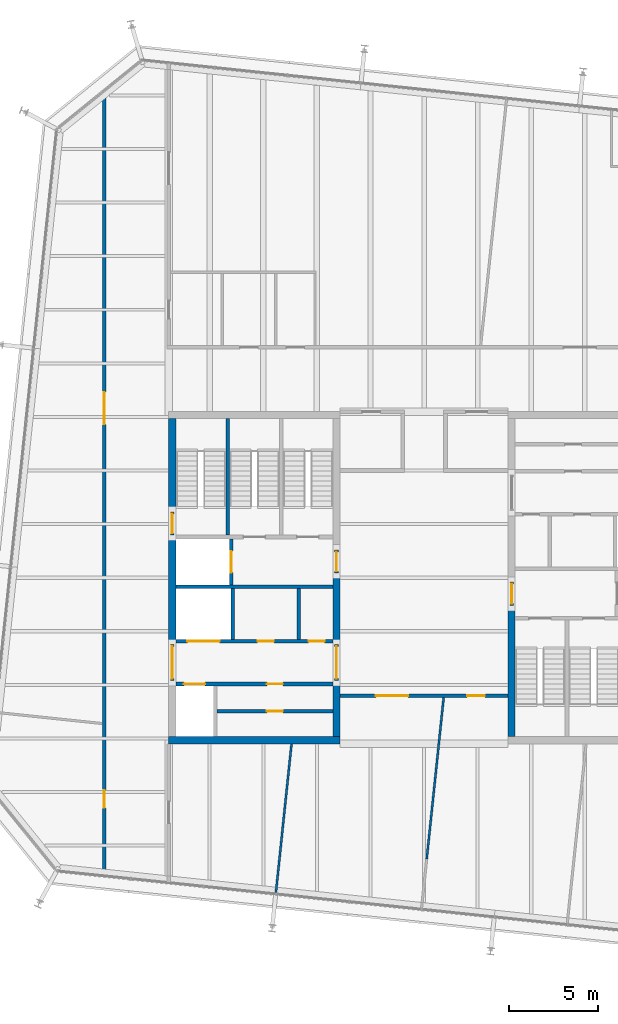
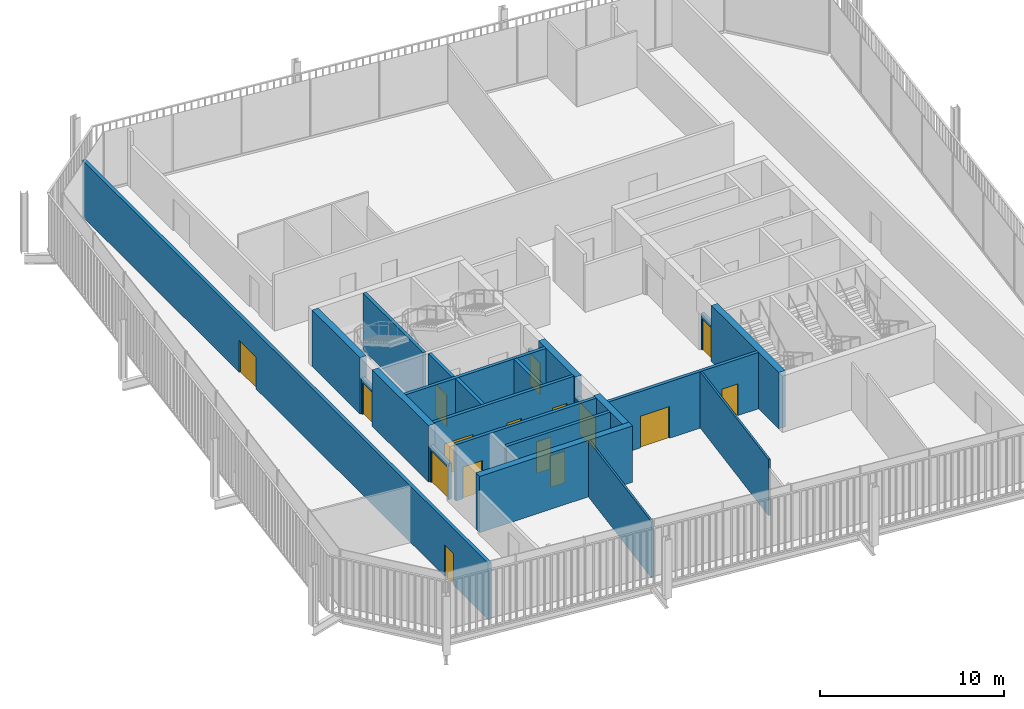
# One storey, part 16 of 20: 23 walls, 16 doors, 16 openings.
"""IFC4 building model written with IfcOpenShell, lengths in metres."""

from ifc_helpers import new_model, si_unit, direction, frame, frame_2d, origin, place, context, subcontext, project, spatial, rectangle, extrude, material, layer, layer_set, type_object, element, fill, save


model = new_model("IFC4")

# Units and contexts
model_context = context("Model", 3, precision=1e-05, world=origin(), true_north=direction((0.0, 1.0)))
body_context = subcontext(model_context, "Body", "Model", "MODEL_VIEW")
ifc_project = project(units=[si_unit("LENGTHUNIT", "METRE"), si_unit("AREAUNIT", "SQUARE_METRE"), si_unit("VOLUMEUNIT", "CUBIC_METRE"), si_unit("PLANEANGLEUNIT", "RADIAN"), si_unit("MASSUNIT", "GRAM", prefix="KILO")], contexts=[model_context])

# Site, building, storey
site_placement = place(None, origin())
site = spatial("IfcSite", under=ifc_project, at=site_placement, CompositionType="ELEMENT")
building_placement = place(site_placement, origin())
building = spatial("IfcBuilding", under=site, at=building_placement, Name="Millrace Tower", CompositionType="ELEMENT")
storey_placement = place(building_placement, frame((0.0, 0.0, 295.5)))
storey = spatial("IfcBuildingStorey", under=building, at=storey_placement, Name="L68", CompositionType="ELEMENT", Elevation=295.5)

# Walls
ifc_material_1 = material(Name="Concrete C60", Category="concrete")
ifc_layer_1 = layer(ifc_material_1, 0.39990234375)
ifc_layer_set_1 = layer_set([ifc_layer_1], Name="Concrete C60")
wall_type_1 = type_object("IfcWallType", Name="Core wall 400 Concrete C60", PredefinedType="SHEAR", material=ifc_layer_set_1)
wall_1_placement = place(storey_placement, frame((-14.300048828125, -9.10009765625, 0.0), z_axis=(0.0, 0.0, 1.0), x_axis=(1.0, 0.0, 0.0)))
element("IfcWall", 1, at=wall_1_placement, inside=storey, type_object=wall_type_1, Name="Core wall W L68", PredefinedType="SHEAR", context=body_context, shape_type="SweptSolid", body=[
    extrude(rectangle(XDim=9.60009765625, YDim=0.39990234375, at=frame_2d((4.800048828125, 0.0))), origin(), (0.0, 0.0, 1.0), 3.739990234375),
])
wall_2_placement = place(storey_placement, frame((-14.10009765625, -3.75, 0.0), z_axis=(0.0, 0.0, 1.0), x_axis=(0.0, 1.0, 0.0)))
element("IfcWall", 2, at=wall_2_placement, inside=storey, type_object=wall_type_1, Name="Core wall W L68", PredefinedType="SHEAR", context=body_context, shape_type="SweptSolid", body=[
    extrude(rectangle(XDim=6.1298828125, YDim=0.39990234375, at=frame_2d((3.06494140625, 0.0))), origin(), (0.0, 0.0, 1.0), 3.739990234375),
])
wall_3_placement = place(storey_placement, frame((-14.10009765625, 3.679931640625, 0.0), z_axis=(0.0, 0.0, 1.0), x_axis=(0.0, 1.0, 0.0)))
element("IfcWall", 3, at=wall_3_placement, inside=storey, type_object=wall_type_1, Name="Core wall W L68", PredefinedType="SHEAR", context=body_context, shape_type="SweptSolid", body=[
    extrude(rectangle(XDim=5.219970703125, YDim=0.39990234375, at=frame_2d((2.60986328125, 0.0))), origin(), (0.0, 0.0, 1.0), 3.739990234375),
])
wall_4_placement = place(storey_placement, frame((-4.89990234375, -8.89990234375, 0.0), z_axis=(0.0, 0.0, 1.0), x_axis=(0.0, 1.0, 0.0)))
element("IfcWall", 4, at=wall_4_placement, inside=storey, type_object=wall_type_1, Name="Core wall W L68", PredefinedType="SHEAR", context=body_context, shape_type="SweptSolid", body=[
    extrude(rectangle(XDim=3.14990234375, YDim=0.39990234375, at=frame_2d((1.574951171875, 0.0))), origin(), (0.0, 0.0, 1.0), 3.739990234375),
])
wall_5_placement = place(storey_placement, frame((-4.89990234375, -3.75, 0.0), z_axis=(0.0, 0.0, 1.0), x_axis=(0.0, 1.0, 0.0)))
element("IfcWall", 5, at=wall_5_placement, inside=storey, type_object=wall_type_1, Name="Core wall W L68", PredefinedType="SHEAR", context=body_context, shape_type="SweptSolid", body=[
    extrude(rectangle(XDim=4.0, YDim=0.39990234375, at=frame_2d((2.0, 0.0))), origin(), (0.0, 0.0, 1.0), 3.739990234375),
])
wall_6_placement = place(storey_placement, frame((4.89990234375, -1.550048828125, 0.0), z_axis=(0.0, 0.0, 1.0), x_axis=(0.0, -1.0, 0.0)))
element("IfcWall", 6, at=wall_6_placement, inside=storey, type_object=wall_type_1, Name="Core wall E L68", PredefinedType="SHEAR", context=body_context, shape_type="SweptSolid", body=[
    extrude(rectangle(XDim=7.349853515625, YDim=0.39990234375, at=frame_2d((3.6748046875, 0.0))), origin(), (0.0, 0.0, 1.0), 3.739990234375),
])

# Wall, openings, doors
ifc_material_2 = material(Name="Masonry partition, fire-rated", Category="masonry")
ifc_layer_2 = layer(ifc_material_2, 0.199951171875)
ifc_layer_set_2 = layer_set([ifc_layer_2], Name="Masonry partition, fire-rated")
wall_type_2 = type_object("IfcWallType", Name="Corridor wall 200", PredefinedType="PARTITIONING", material=ifc_layer_set_2)
wall_7_placement = place(storey_placement, frame((-4.699951171875, -6.60009765625, 0.0), z_axis=(0.0, 0.0, 1.0), x_axis=(1.0, 0.0, 0.0)))
wall_7 = element("IfcWall", 7, at=wall_7_placement, inside=storey, type_object=wall_type_2, Name="Corridor wall L68", PredefinedType="PARTITIONING", context=body_context, shape_type="SweptSolid", body=[
    extrude(rectangle(XDim=9.39990234375, YDim=0.199951171875, at=frame_2d((4.699951171875, 0.0))), origin(), (0.0, 0.0, 1.0), 3.739990234375),
])
opening_1_placement = place(wall_7_placement, frame((2.0048828125, 0.0, 0.0)))
opening_1 = element("IfcOpeningElement", 8, at=opening_1_placement, cuts=wall_7, Name="Opening 68-P010", PredefinedType="OPENING", context=body_context, shape_type="SweptSolid", body=[
    extrude(rectangle(XDim=1.800048828125, YDim=2.10009765625, at=frame_2d((0.89990234375, 1.050048828125))), frame((0.0, 0.10986328125, 0.0), z_axis=(0.0, -1.0, 0.0), x_axis=(1.0, 0.0, 0.0)), (0.0, 0.0, 1.0), 0.219970703125),
])
opening_2_placement = place(wall_7_placement, frame((7.10498046875, 0.0, 0.0)))
opening_2 = element("IfcOpeningElement", 9, at=opening_2_placement, cuts=wall_7, Name="Opening 68-P011", PredefinedType="OPENING", context=body_context, shape_type="SweptSolid", body=[
    extrude(rectangle(XDim=1.0, YDim=2.10009765625, at=frame_2d((0.5, 1.050048828125))), frame((0.0, 0.10986328125, 0.0), z_axis=(0.0, -1.0, 0.0), x_axis=(1.0, 0.0, 0.0)), (0.0, 0.0, 1.0), 0.219970703125),
])
ifc_material_3 = material(Name="Steel door set, fire-rated", Category="steel")
door_type_1 = type_object("IfcDoorType", Name="Corridor door 1000 x 2100", OperationType="SINGLE_SWING_LEFT", PredefinedType="DOOR", material=ifc_material_3)
door_1_placement = place(opening_2_placement, frame((1.0, 0.0, 0.0), z_axis=(0.0, 0.0, 1.0), x_axis=(-1.0, 0.0, 0.0)))
door_1 = element("IfcDoor", 10, at=door_1_placement, inside=storey, type_object=door_type_1, Name="Door 68-P011", OperationType="SINGLE_SWING_LEFT", OverallHeight=2.10009765625, OverallWidth=1.0, PredefinedType="DOOR", context=body_context, shape_type="SweptSolid", body=[
    extrude(rectangle(XDim=1.0, YDim=2.10009765625, at=frame_2d((0.5, 1.050048828125))), frame((0.0, 0.02490234375, 0.0), z_axis=(0.0, -1.0, 0.0), x_axis=(1.0, 0.0, 0.0)), (0.0, 0.0, 1.0), 0.050048828125),
])
fill(opening_2, door_1)
ifc_material_4 = material(Name="Steel door set, fire-rated", Category="steel")
door_type_2 = type_object("IfcDoorType", Name="Corridor door 1800 x 2100", OperationType="DOUBLE_DOOR_SINGLE_SWING", PredefinedType="DOOR", material=ifc_material_4)
door_2_placement = place(opening_1_placement, frame((1.800048828125, 0.0, 0.0), z_axis=(0.0, 0.0, 1.0), x_axis=(-1.0, 0.0, 0.0)))
door_2 = element("IfcDoor", 11, at=door_2_placement, inside=storey, type_object=door_type_2, Name="Door 68-P010", OperationType="DOUBLE_DOOR_SINGLE_SWING", OverallHeight=2.10009765625, OverallWidth=1.800048828125, PredefinedType="DOOR", context=body_context, shape_type="SweptSolid", body=[
    extrude(rectangle(XDim=1.800048828125, YDim=2.10009765625, at=frame_2d((0.89990234375, 1.050048828125))), frame((0.0, 0.02490234375, 0.0), z_axis=(0.0, -1.0, 0.0), x_axis=(1.0, 0.0, 0.0)), (0.0, 0.0, 1.0), 0.050048828125),
])
fill(opening_1, door_2)

wall_8_placement = place(storey_placement, frame((-17.89990234375, -16.653076171875, 0.0), z_axis=(0.0, 0.0, 1.0), x_axis=(0.0, 1.0, 0.0)))
wall_8 = element("IfcWall", 12, at=wall_8_placement, inside=storey, type_object=wall_type_2, Name="Corridor wall L68", PredefinedType="PARTITIONING", context=body_context, shape_type="SweptSolid", body=[
    extrude(rectangle(XDim=44.071533203125, YDim=0.199951171875, at=frame_2d((22.03564453125, 0.0))), origin(), (0.0, 0.0, 1.0), 3.739990234375),
])
opening_3_placement = place(wall_8_placement, frame((3.76318359375, 0.0, 0.0)))
opening_3 = element("IfcOpeningElement", 13, at=opening_3_placement, cuts=wall_8, Name="Opening 68-P003", PredefinedType="OPENING", context=body_context, shape_type="SweptSolid", body=[
    extrude(rectangle(XDim=1.0, YDim=2.10009765625, at=frame_2d((0.5, 1.050048828125))), frame((0.0, 0.10986328125, 0.0), z_axis=(0.0, -1.0, 0.0), x_axis=(1.0, 0.0, 0.0)), (0.0, 0.0, 1.0), 0.219970703125),
])
opening_4_placement = place(wall_8_placement, frame((25.24169921875, 0.0, 0.0)))
opening_4 = element("IfcOpeningElement", 14, at=opening_4_placement, cuts=wall_8, Name="Opening 68-P004", PredefinedType="OPENING", context=body_context, shape_type="SweptSolid", body=[
    extrude(rectangle(XDim=1.800048828125, YDim=2.10009765625, at=frame_2d((0.89990234375, 1.050048828125))), frame((0.0, 0.10986328125, 0.0), z_axis=(0.0, -1.0, 0.0), x_axis=(1.0, 0.0, 0.0)), (0.0, 0.0, 1.0), 0.219970703125),
])
door_3_placement = place(opening_3_placement, origin())
door_3 = element("IfcDoor", 15, at=door_3_placement, inside=storey, type_object=door_type_1, Name="Door 68-P003", OperationType="SINGLE_SWING_LEFT", OverallHeight=2.10009765625, OverallWidth=1.0, PredefinedType="DOOR", context=body_context, shape_type="SweptSolid", body=[
    extrude(rectangle(XDim=1.0, YDim=2.10009765625, at=frame_2d((0.5, 1.050048828125))), frame((0.0, 0.02490234375, 0.0), z_axis=(0.0, -1.0, 0.0), x_axis=(1.0, 0.0, 0.0)), (0.0, 0.0, 1.0), 0.050048828125),
])
fill(opening_3, door_3)
door_4_placement = place(opening_4_placement, origin())
door_4 = element("IfcDoor", 16, at=door_4_placement, inside=storey, type_object=door_type_2, Name="Door 68-P004", OperationType="DOUBLE_DOOR_SINGLE_SWING", OverallHeight=2.10009765625, OverallWidth=1.800048828125, PredefinedType="DOOR", context=body_context, shape_type="SweptSolid", body=[
    extrude(rectangle(XDim=1.800048828125, YDim=2.10009765625, at=frame_2d((0.89990234375, 1.050048828125))), frame((0.0, 0.02490234375, 0.0), z_axis=(0.0, -1.0, 0.0), x_axis=(1.0, 0.0, 0.0)), (0.0, 0.0, 1.0), 0.050048828125),
])
fill(opening_4, door_4)

ifc_material_5 = material(Name="Masonry partition, fire-rated", Category="masonry")
ifc_layer_3 = layer(ifc_material_5, 0.199951171875)
ifc_layer_set_3 = layer_set([ifc_layer_3], Name="Masonry partition, fire-rated")
wall_type_3 = type_object("IfcWallType", Name="Lift shaft wall 200", PredefinedType="PARTITIONING", material=ifc_layer_set_3)
wall_9_placement = place(storey_placement, frame((-13.89990234375, -5.949951171875, 0.0), z_axis=(0.0, 0.0, 1.0), x_axis=(1.0, 0.0, 0.0)))
wall_9 = element("IfcWall", 17, at=wall_9_placement, inside=storey, type_object=wall_type_3, Name="Lift shaft wall W L68", PredefinedType="PARTITIONING", context=body_context, shape_type="SweptSolid", body=[
    extrude(rectangle(XDim=8.7998046875, YDim=0.199951171875, at=frame_2d((4.39990234375, 0.0))), origin(), (0.0, 0.0, 1.0), 3.739990234375),
])
opening_5_placement = place(wall_9_placement, frame((0.449951171875, 0.0, 0.0)))
opening_5 = element("IfcOpeningElement", 18, at=opening_5_placement, cuts=wall_9, Name="Opening 68-LD01", PredefinedType="OPENING", context=body_context, shape_type="SweptSolid", body=[
    extrude(rectangle(XDim=1.199951171875, YDim=2.10009765625, at=frame_2d((0.60009765625, 1.050048828125))), frame((0.0, 0.10986328125, 0.0), z_axis=(0.0, -1.0, 0.0), x_axis=(1.0, 0.0, 0.0)), (0.0, 0.0, 1.0), 0.219970703125),
])
opening_6_placement = place(wall_9_placement, frame((5.10009765625, 0.0, 0.0)))
opening_6 = element("IfcOpeningElement", 19, at=opening_6_placement, cuts=wall_9, Name="Opening 68-C005", PredefinedType="OPENING", context=body_context, shape_type="SweptSolid", body=[
    extrude(rectangle(XDim=0.89990234375, YDim=2.10009765625, at=frame_2d((0.449951171875, 1.050048828125))), frame((0.0, 0.10986328125, 0.0), z_axis=(0.0, -1.0, 0.0), x_axis=(1.0, 0.0, 0.0)), (0.0, 0.0, 1.0), 0.219970703125),
])
ifc_material_6 = material(Name="Stainless steel, fire-rated", Category="steel")
door_type_3 = type_object("IfcDoorType", Name="Lift landing door 1200 x 2100", OperationType="DOUBLE_DOOR_SLIDING", PredefinedType="DOOR", material=ifc_material_6)
door_5_placement = place(opening_5_placement, origin())
door_5 = element("IfcDoor", 20, at=door_5_placement, inside=storey, type_object=door_type_3, Name="Lift landing door LF1 L68", OperationType="DOUBLE_DOOR_SLIDING", OverallHeight=2.10009765625, OverallWidth=1.199951171875, PredefinedType="DOOR", context=body_context, shape_type="SweptSolid", body=[
    extrude(rectangle(XDim=1.199951171875, YDim=2.10009765625, at=frame_2d((0.60009765625, 1.050048828125))), frame((0.0, 0.02490234375, 0.0), z_axis=(0.0, -1.0, 0.0), x_axis=(1.0, 0.0, 0.0)), (0.0, 0.0, 1.0), 0.050048828125),
])
fill(opening_5, door_5)
ifc_material_7 = material(Name="Steel door, fire-rated", Category="steel")
door_type_4 = type_object("IfcDoorType", Name="Service room door 900 x 2100", OperationType="SINGLE_SWING_LEFT", PredefinedType="DOOR", material=ifc_material_7)
door_6_placement = place(opening_6_placement, origin())
door_6 = element("IfcDoor", 21, at=door_6_placement, inside=storey, type_object=door_type_4, Name="Service room door 68-C005", OperationType="SINGLE_SWING_RIGHT", OverallHeight=2.10009765625, OverallWidth=0.89990234375, PredefinedType="DOOR", context=body_context, shape_type="SweptSolid", body=[
    extrude(rectangle(XDim=0.89990234375, YDim=2.10009765625, at=frame_2d((0.449951171875, 1.050048828125))), frame((0.0, 0.02490234375, 0.0), z_axis=(0.0, -1.0, 0.0), x_axis=(1.0, 0.0, 0.0)), (0.0, 0.0, 1.0), 0.050048828125),
])
fill(opening_6, door_6)

wall_10_placement = place(storey_placement, frame((-13.89990234375, -3.550048828125, 0.0), z_axis=(0.0, 0.0, 1.0), x_axis=(1.0, 0.0, 0.0)))
wall_10 = element("IfcWall", 22, at=wall_10_placement, inside=storey, type_object=wall_type_3, Name="Lift shaft wall W L68", PredefinedType="PARTITIONING", context=body_context, shape_type="SweptSolid", body=[
    extrude(rectangle(XDim=8.7998046875, YDim=0.199951171875, at=frame_2d((4.39990234375, 0.0))), origin(), (0.0, 0.0, 1.0), 3.739990234375),
])
opening_7_placement = place(wall_10_placement, frame((0.64990234375, 0.0, 0.0)))
opening_7 = element("IfcOpeningElement", 23, at=opening_7_placement, cuts=wall_10, Name="Opening 68-LD05", PredefinedType="OPENING", context=body_context, shape_type="SweptSolid", body=[
    extrude(rectangle(XDim=1.800048828125, YDim=2.10009765625, at=frame_2d((0.89990234375, 1.050048828125))), frame((0.0, 0.10986328125, 0.0), z_axis=(0.0, -1.0, 0.0), x_axis=(1.0, 0.0, 0.0)), (0.0, 0.0, 1.0), 0.219970703125),
])
opening_8_placement = place(wall_10_placement, frame((4.58740234375, 0.0, 0.0)))
opening_8 = element("IfcOpeningElement", 24, at=opening_8_placement, cuts=wall_10, Name="Opening 68-C007", PredefinedType="OPENING", context=body_context, shape_type="SweptSolid", body=[
    extrude(rectangle(XDim=0.89990234375, YDim=2.10009765625, at=frame_2d((0.449951171875, 1.050048828125))), frame((0.0, 0.10986328125, 0.0), z_axis=(0.0, -1.0, 0.0), x_axis=(1.0, 0.0, 0.0)), (0.0, 0.0, 1.0), 0.219970703125),
])
opening_9_placement = place(wall_10_placement, frame((7.4375, 0.0, 0.0)))
opening_9 = element("IfcOpeningElement", 25, at=opening_9_placement, cuts=wall_10, Name="Opening 68-C008", PredefinedType="OPENING", context=body_context, shape_type="SweptSolid", body=[
    extrude(rectangle(XDim=0.89990234375, YDim=2.10009765625, at=frame_2d((0.449951171875, 1.050048828125))), frame((0.0, 0.10986328125, 0.0), z_axis=(0.0, -1.0, 0.0), x_axis=(1.0, 0.0, 0.0)), (0.0, 0.0, 1.0), 0.219970703125),
])
ifc_material_8 = material(Name="Stainless steel, fire-rated", Category="steel")
door_type_5 = type_object("IfcDoorType", Name="Lift landing door 1800 x 2100", OperationType="DOUBLE_DOOR_SLIDING", PredefinedType="DOOR", material=ifc_material_8)
door_7_placement = place(opening_7_placement, origin())
door_7 = element("IfcDoor", 26, at=door_7_placement, inside=storey, type_object=door_type_5, Name="Lift landing door LF5 L68", OperationType="DOUBLE_DOOR_SLIDING", OverallHeight=2.10009765625, OverallWidth=1.800048828125, PredefinedType="DOOR", context=body_context, shape_type="SweptSolid", body=[
    extrude(rectangle(XDim=1.800048828125, YDim=2.10009765625, at=frame_2d((0.89990234375, 1.050048828125))), frame((0.0, 0.02490234375, 0.0), z_axis=(0.0, -1.0, 0.0), x_axis=(1.0, 0.0, 0.0)), (0.0, 0.0, 1.0), 0.050048828125),
])
fill(opening_7, door_7)
door_8_placement = place(opening_8_placement, origin())
door_8 = element("IfcDoor", 27, at=door_8_placement, inside=storey, type_object=door_type_4, Name="Service room door 68-C007", OperationType="SINGLE_SWING_RIGHT", OverallHeight=2.10009765625, OverallWidth=0.89990234375, PredefinedType="DOOR", context=body_context, shape_type="SweptSolid", body=[
    extrude(rectangle(XDim=0.89990234375, YDim=2.10009765625, at=frame_2d((0.449951171875, 1.050048828125))), frame((0.0, 0.02490234375, 0.0), z_axis=(0.0, -1.0, 0.0), x_axis=(1.0, 0.0, 0.0)), (0.0, 0.0, 1.0), 0.050048828125),
])
fill(opening_8, door_8)
door_9_placement = place(opening_9_placement, origin())
door_9 = element("IfcDoor", 28, at=door_9_placement, inside=storey, type_object=door_type_4, Name="Service room door 68-C008", OperationType="SINGLE_SWING_RIGHT", OverallHeight=2.10009765625, OverallWidth=0.89990234375, PredefinedType="DOOR", context=body_context, shape_type="SweptSolid", body=[
    extrude(rectangle(XDim=0.89990234375, YDim=2.10009765625, at=frame_2d((0.449951171875, 1.050048828125))), frame((0.0, 0.02490234375, 0.0), z_axis=(0.0, -1.0, 0.0), x_axis=(1.0, 0.0, 0.0)), (0.0, 0.0, 1.0), 0.050048828125),
])
fill(opening_9, door_9)

# Wall
wall_11_placement = place(storey_placement, frame((-13.89990234375, -0.5, 0.0), z_axis=(0.0, 0.0, 1.0), x_axis=(1.0, 0.0, 0.0)))
element("IfcWall", 29, at=wall_11_placement, inside=storey, type_object=wall_type_3, Name="Lift shaft wall W L68", PredefinedType="PARTITIONING", context=body_context, shape_type="SweptSolid", body=[
    extrude(rectangle(XDim=8.7998046875, YDim=0.199951171875, at=frame_2d((4.39990234375, 0.0))), origin(), (0.0, 0.0, 1.0), 3.739990234375),
])

# Wall, opening, door
wall_12_placement = place(storey_placement, frame((-10.800048828125, -0.39990234375, 0.0), z_axis=(0.0, 0.0, 1.0), x_axis=(0.0, 1.0, 0.0)))
wall_12 = element("IfcWall", 30, at=wall_12_placement, inside=storey, type_object=wall_type_3, Name="Lift shaft wall W L68", PredefinedType="PARTITIONING", context=body_context, shape_type="SweptSolid", body=[
    extrude(rectangle(XDim=2.579833984375, YDim=0.199951171875, at=frame_2d((1.2900390625, 0.0))), origin(), (0.0, 0.0, 1.0), 3.739990234375),
])
opening_10_placement = place(wall_12_placement, frame((0.68994140625, 0.0, 0.0)))
opening_10 = element("IfcOpeningElement", 31, at=opening_10_placement, cuts=wall_12, Name="Opening 68-LD08", PredefinedType="OPENING", context=body_context, shape_type="SweptSolid", body=[
    extrude(rectangle(XDim=1.199951171875, YDim=2.10009765625, at=frame_2d((0.60009765625, 1.050048828125))), frame((0.0, 0.10986328125, 0.0), z_axis=(0.0, -1.0, 0.0), x_axis=(1.0, 0.0, 0.0)), (0.0, 0.0, 1.0), 0.219970703125),
])
door_10_placement = place(opening_10_placement, origin())
door_10 = element("IfcDoor", 32, at=door_10_placement, inside=storey, type_object=door_type_3, Name="Lift landing door LF8 L68", OperationType="DOUBLE_DOOR_SLIDING", OverallHeight=2.10009765625, OverallWidth=1.199951171875, PredefinedType="DOOR", context=body_context, shape_type="SweptSolid", body=[
    extrude(rectangle(XDim=1.199951171875, YDim=2.10009765625, at=frame_2d((0.60009765625, 1.050048828125))), frame((0.0, 0.02490234375, 0.0), z_axis=(0.0, -1.0, 0.0), x_axis=(1.0, 0.0, 0.0)), (0.0, 0.0, 1.0), 0.050048828125),
])
fill(opening_10, door_10)

# Wall
wall_13_placement = place(storey_placement, frame((-10.699951171875, -3.449951171875, 0.0), z_axis=(0.0, 0.0, 1.0), x_axis=(0.0, 1.0, 0.0)))
element("IfcWall", 33, at=wall_13_placement, inside=storey, type_object=wall_type_3, Name="Lift shaft wall W L68", PredefinedType="PARTITIONING", context=body_context, shape_type="SweptSolid", body=[
    extrude(rectangle(XDim=2.849853515625, YDim=0.199951171875, at=frame_2d((1.4248046875, 0.0))), origin(), (0.0, 0.0, 1.0), 3.739990234375),
])

# Wall, opening, door
ifc_material_9 = material(Name="Masonry partition, fire-rated", Category="masonry")
ifc_layer_4 = layer(ifc_material_9, 0.199951171875)
ifc_layer_set_4 = layer_set([ifc_layer_4], Name="Masonry partition, fire-rated")
wall_type_4 = type_object("IfcWallType", Name="Lobby wall 200", PredefinedType="PARTITIONING", material=ifc_layer_set_4)
wall_14_placement = place(storey_placement, frame((-14.10009765625, -5.75, 0.0), z_axis=(0.0, 0.0, 1.0), x_axis=(0.0, 1.0, 0.0)))
wall_14 = element("IfcWall", 34, at=wall_14_placement, inside=storey, type_object=wall_type_4, Name="Lobby wall W L68", PredefinedType="PARTITIONING", context=body_context, shape_type="SweptSolid", body=[
    extrude(rectangle(XDim=2.0, YDim=0.199951171875, at=frame_2d((1.0, 0.0))), origin(), (0.0, 0.0, 1.0), 2.39990234375),
])
opening_11_placement = place(wall_14_placement, frame((0.10009765625, 0.0, 0.0)))
opening_11 = element("IfcOpeningElement", 35, at=opening_11_placement, cuts=wall_14, Name="Opening 68-C001", PredefinedType="OPENING", context=body_context, shape_type="SweptSolid", body=[
    extrude(rectangle(XDim=1.800048828125, YDim=2.10009765625, at=frame_2d((0.89990234375, 1.050048828125))), frame((0.0, 0.10986328125, 0.0), z_axis=(0.0, -1.0, 0.0), x_axis=(1.0, 0.0, 0.0)), (0.0, 0.0, 1.0), 0.219970703125),
])
ifc_material_10 = material(Name="Steel door, fire-rated", Category="steel")
door_type_6 = type_object("IfcDoorType", Name="Lobby door 1800 x 2100", OperationType="DOUBLE_DOOR_SINGLE_SWING", PredefinedType="DOOR", material=ifc_material_10)
door_11_placement = place(opening_11_placement, origin())
door_11 = element("IfcDoor", 36, at=door_11_placement, inside=storey, type_object=door_type_6, Name="Lobby door 68-C001", OperationType="DOUBLE_DOOR_SINGLE_SWING", OverallHeight=2.10009765625, OverallWidth=1.800048828125, PredefinedType="DOOR", context=body_context, shape_type="SweptSolid", body=[
    extrude(rectangle(XDim=1.800048828125, YDim=2.10009765625, at=frame_2d((0.89990234375, 1.050048828125))), frame((0.0, 0.02490234375, 0.0), z_axis=(0.0, -1.0, 0.0), x_axis=(1.0, 0.0, 0.0)), (0.0, 0.0, 1.0), 0.050048828125),
])
fill(opening_11, door_11)

wall_15_placement = place(storey_placement, frame((-4.89990234375, -5.75, 0.0), z_axis=(0.0, 0.0, 1.0), x_axis=(0.0, 1.0, 0.0)))
wall_15 = element("IfcWall", 37, at=wall_15_placement, inside=storey, type_object=wall_type_4, Name="Lobby wall W L68", PredefinedType="PARTITIONING", context=body_context, shape_type="SweptSolid", body=[
    extrude(rectangle(XDim=2.0, YDim=0.199951171875, at=frame_2d((1.0, 0.0))), origin(), (0.0, 0.0, 1.0), 2.39990234375),
])
opening_12_placement = place(wall_15_placement, frame((0.10009765625, 0.0, 0.0)))
opening_12 = element("IfcOpeningElement", 38, at=opening_12_placement, cuts=wall_15, Name="Opening 68-C003", PredefinedType="OPENING", context=body_context, shape_type="SweptSolid", body=[
    extrude(rectangle(XDim=1.800048828125, YDim=2.10009765625, at=frame_2d((0.89990234375, 1.050048828125))), frame((0.0, 0.10986328125, 0.0), z_axis=(0.0, -1.0, 0.0), x_axis=(1.0, 0.0, 0.0)), (0.0, 0.0, 1.0), 0.219970703125),
])
door_12_placement = place(opening_12_placement, frame((1.800048828125, 0.0, 0.0), z_axis=(0.0, 0.0, 1.0), x_axis=(-1.0, 0.0, 0.0)))
door_12 = element("IfcDoor", 39, at=door_12_placement, inside=storey, type_object=door_type_6, Name="Lobby door 68-C003", OperationType="DOUBLE_DOOR_SINGLE_SWING", OverallHeight=2.10009765625, OverallWidth=1.800048828125, PredefinedType="DOOR", context=body_context, shape_type="SweptSolid", body=[
    extrude(rectangle(XDim=1.800048828125, YDim=2.10009765625, at=frame_2d((0.89990234375, 1.050048828125))), frame((0.0, 0.02490234375, 0.0), z_axis=(0.0, -1.0, 0.0), x_axis=(1.0, 0.0, 0.0)), (0.0, 0.0, 1.0), 0.050048828125),
])
fill(opening_12, door_12)

wall_16_placement = place(storey_placement, frame((-4.89990234375, 0.25, 0.0), z_axis=(0.0, 0.0, 1.0), x_axis=(0.0, 1.0, 0.0)))
wall_16 = element("IfcWall", 40, at=wall_16_placement, inside=storey, type_object=wall_type_4, Name="Lobby wall W L68", PredefinedType="PARTITIONING", context=body_context, shape_type="SweptSolid", body=[
    extrude(rectangle(XDim=1.300048828125, YDim=0.199951171875, at=frame_2d((0.64990234375, 0.0))), origin(), (0.0, 0.0, 1.0), 2.39990234375),
])
opening_13_placement = place(wall_16_placement, frame((0.10009765625, 0.0, 0.0)))
opening_13 = element("IfcOpeningElement", 41, at=opening_13_placement, cuts=wall_16, Name="Opening 68-C004", PredefinedType="OPENING", context=body_context, shape_type="SweptSolid", body=[
    extrude(rectangle(XDim=1.10009765625, YDim=2.10009765625, at=frame_2d((0.550048828125, 1.050048828125))), frame((0.0, 0.10986328125, 0.0), z_axis=(0.0, -1.0, 0.0), x_axis=(1.0, 0.0, 0.0)), (0.0, 0.0, 1.0), 0.219970703125),
])
ifc_material_11 = material(Name="Steel door, fire-rated", Category="steel")
door_type_7 = type_object("IfcDoorType", Name="Lobby door 1100 x 2100", OperationType="SINGLE_SWING_LEFT", PredefinedType="DOOR", material=ifc_material_11)
door_13_placement = place(opening_13_placement, frame((1.10009765625, 0.0, 0.0), z_axis=(0.0, 0.0, 1.0), x_axis=(-1.0, 0.0, 0.0)))
door_13 = element("IfcDoor", 42, at=door_13_placement, inside=storey, type_object=door_type_7, Name="Lobby door 68-C004", OperationType="SINGLE_SWING_RIGHT", OverallHeight=2.10009765625, OverallWidth=1.10009765625, PredefinedType="DOOR", context=body_context, shape_type="SweptSolid", body=[
    extrude(rectangle(XDim=1.10009765625, YDim=2.10009765625, at=frame_2d((0.550048828125, 1.050048828125))), frame((0.0, 0.02490234375, 0.0), z_axis=(0.0, -1.0, 0.0), x_axis=(1.0, 0.0, 0.0)), (0.0, 0.0, 1.0), 0.050048828125),
])
fill(opening_13, door_13)

wall_17_placement = place(storey_placement, frame((4.89990234375, -0.25, 0.0), z_axis=(0.0, 0.0, 1.0), x_axis=(0.0, -1.0, 0.0)))
wall_17 = element("IfcWall", 43, at=wall_17_placement, inside=storey, type_object=wall_type_4, Name="Lobby wall E L68", PredefinedType="PARTITIONING", context=body_context, shape_type="SweptSolid", body=[
    extrude(rectangle(XDim=1.300048828125, YDim=0.199951171875, at=frame_2d((0.64990234375, 0.0))), origin(), (0.0, 0.0, 1.0), 2.39990234375),
])
opening_14_placement = place(wall_17_placement, frame((0.10009765625, 0.0, 0.0)))
opening_14 = element("IfcOpeningElement", 44, at=opening_14_placement, cuts=wall_17, Name="Opening 68-C014", PredefinedType="OPENING", context=body_context, shape_type="SweptSolid", body=[
    extrude(rectangle(XDim=1.10009765625, YDim=2.10009765625, at=frame_2d((0.550048828125, 1.050048828125))), frame((0.0, 0.10986328125, 0.0), z_axis=(0.0, -1.0, 0.0), x_axis=(1.0, 0.0, 0.0)), (0.0, 0.0, 1.0), 0.219970703125),
])
door_14_placement = place(opening_14_placement, frame((1.10009765625, 0.0, 0.0), z_axis=(0.0, 0.0, 1.0), x_axis=(-1.0, 0.0, 0.0)))
door_14 = element("IfcDoor", 45, at=door_14_placement, inside=storey, type_object=door_type_7, Name="Lobby door 68-C014", OperationType="SINGLE_SWING_LEFT", OverallHeight=2.10009765625, OverallWidth=1.10009765625, PredefinedType="DOOR", context=body_context, shape_type="SweptSolid", body=[
    extrude(rectangle(XDim=1.10009765625, YDim=2.10009765625, at=frame_2d((0.550048828125, 1.050048828125))), frame((0.0, 0.02490234375, 0.0), z_axis=(0.0, -1.0, 0.0), x_axis=(1.0, 0.0, 0.0)), (0.0, 0.0, 1.0), 0.050048828125),
])
fill(opening_14, door_14)

# Walls
ifc_material_12 = material(Name="Gypsum board partition")
ifc_layer_5 = layer(ifc_material_12, 0.1201171875)
ifc_layer_set_5 = layer_set([ifc_layer_5], Name="Gypsum board partition")
wall_type_5 = type_object("IfcWallType", Name="Partition wall 120", PredefinedType="PARTITIONING", material=ifc_layer_set_5)
wall_18_placement = place(storey_placement, frame((0.148681640625, -15.74560546875, 0.0), z_axis=(0.0, 0.0, 1.0), x_axis=(0.104543668723, 0.994520297093, 0.0)))
element("IfcWall", 46, at=wall_18_placement, inside=storey, type_object=wall_type_5, Name="Partition wall L68", PredefinedType="PARTITIONING", context=body_context, shape_type="SweptSolid", body=[
    extrude(rectangle(XDim=9.095947265625, YDim=0.1201171875, at=frame_2d((4.5478515625, 0.0))), origin(), (0.0, 0.0, 1.0), 3.739990234375),
])
wall_19_placement = place(storey_placement, frame((-8.297119140625, -17.662353515625, 0.0), z_axis=(0.0, 0.0, 1.0), x_axis=(0.104441438294, 0.994531038212, 0.0)))
element("IfcWall", 47, at=wall_19_placement, inside=storey, type_object=wall_type_5, Name="Partition wall L68", PredefinedType="PARTITIONING", context=body_context, shape_type="SweptSolid", body=[
    extrude(rectangle(XDim=8.408203125, YDim=0.1201171875, at=frame_2d((4.2041015625, 0.0))), origin(), (0.0, 0.0, 1.0), 3.739990234375),
])

# Wall, opening, door
ifc_material_13 = material(Name="Masonry partition, fire-rated", Category="masonry")
ifc_layer_6 = layer(ifc_material_13, 0.199951171875)
ifc_layer_set_6 = layer_set([ifc_layer_6], Name="Masonry partition, fire-rated")
wall_type_6 = type_object("IfcWallType", Name="Room partition 200", PredefinedType="PARTITIONING", material=ifc_layer_set_6)
wall_20_placement = place(storey_placement, frame((-11.60009765625, -7.47509765625, 0.0), z_axis=(0.0, 0.0, 1.0), x_axis=(1.0, 0.0, 0.0)))
wall_20 = element("IfcWall", 48, at=wall_20_placement, inside=storey, type_object=wall_type_6, Name="Room partition W L68", PredefinedType="PARTITIONING", context=body_context, shape_type="SweptSolid", body=[
    extrude(rectangle(XDim=6.5, YDim=0.199951171875, at=frame_2d((3.25, 0.0))), origin(), (0.0, 0.0, 1.0), 3.739990234375),
])
opening_15_placement = place(wall_20_placement, frame((2.800048828125, 0.0, 0.0)))
opening_15 = element("IfcOpeningElement", 49, at=opening_15_placement, cuts=wall_20, Name="Opening 68-C006", PredefinedType="OPENING", context=body_context, shape_type="SweptSolid", body=[
    extrude(rectangle(XDim=0.89990234375, YDim=2.10009765625, at=frame_2d((0.449951171875, 1.050048828125))), frame((0.0, 0.10986328125, 0.0), z_axis=(0.0, -1.0, 0.0), x_axis=(1.0, 0.0, 0.0)), (0.0, 0.0, 1.0), 0.219970703125),
])
door_15_placement = place(opening_15_placement, frame((0.89990234375, 0.0, 0.0), z_axis=(0.0, 0.0, 1.0), x_axis=(-1.0, 0.0, 0.0)))
door_15 = element("IfcDoor", 50, at=door_15_placement, inside=storey, type_object=door_type_4, Name="Service room door 68-C006", OperationType="SINGLE_SWING_LEFT", OverallHeight=2.10009765625, OverallWidth=0.89990234375, PredefinedType="DOOR", context=body_context, shape_type="SweptSolid", body=[
    extrude(rectangle(XDim=0.89990234375, YDim=2.10009765625, at=frame_2d((0.449951171875, 1.050048828125))), frame((0.0, 0.02490234375, 0.0), z_axis=(0.0, -1.0, 0.0), x_axis=(1.0, 0.0, 0.0)), (0.0, 0.0, 1.0), 0.050048828125),
])
fill(opening_15, door_15)

# Wall
wall_21_placement = place(storey_placement, frame((-7.02490234375, -3.449951171875, 0.0), z_axis=(0.0, 0.0, 1.0), x_axis=(0.0, 1.0, 0.0)))
element("IfcWall", 51, at=wall_21_placement, inside=storey, type_object=wall_type_6, Name="Room partition W L68", PredefinedType="PARTITIONING", context=body_context, shape_type="SweptSolid", body=[
    extrude(rectangle(XDim=2.849853515625, YDim=0.199951171875, at=frame_2d((1.4248046875, 0.0))), origin(), (0.0, 0.0, 1.0), 3.739990234375),
])

# Wall, opening, door
ifc_material_14 = material(Name="Concrete C40", Category="concrete")
ifc_layer_7 = layer(ifc_material_14, 0.199951171875)
ifc_layer_set_7 = layer_set([ifc_layer_7], Name="Concrete C40")
wall_type_7 = type_object("IfcWallType", Name="Stair enclosure wall 200 Concrete C40", PredefinedType="SHEAR", material=ifc_layer_set_7)
wall_22_placement = place(storey_placement, frame((-14.10009765625, 2.3798828125, 0.0), z_axis=(0.0, 0.0, 1.0), x_axis=(0.0, 1.0, 0.0)))
wall_22 = element("IfcWall", 52, at=wall_22_placement, inside=storey, type_object=wall_type_7, Name="Stair enclosure wall W L68", PredefinedType="SHEAR", context=body_context, shape_type="SweptSolid", body=[
    extrude(rectangle(XDim=1.300048828125, YDim=0.199951171875, at=frame_2d((0.64990234375, 0.0))), origin(), (0.0, 0.0, 1.0), 2.39990234375),
])
opening_16_placement = place(wall_22_placement, frame((0.10009765625, 0.0, 0.0)))
opening_16 = element("IfcOpeningElement", 53, at=opening_16_placement, cuts=wall_22, Name="Opening 68-C002", PredefinedType="OPENING", context=body_context, shape_type="SweptSolid", body=[
    extrude(rectangle(XDim=1.10009765625, YDim=2.10009765625, at=frame_2d((0.550048828125, 1.050048828125))), frame((0.0, 0.10986328125, 0.0), z_axis=(0.0, -1.0, 0.0), x_axis=(1.0, 0.0, 0.0)), (0.0, 0.0, 1.0), 0.219970703125),
])
ifc_material_15 = material(Name="Steel door, fire-rated", Category="steel")
door_type_8 = type_object("IfcDoorType", Name="Stair door 1100 x 2100", OperationType="SINGLE_SWING_LEFT", PredefinedType="DOOR", material=ifc_material_15)
door_16_placement = place(opening_16_placement, origin())
door_16 = element("IfcDoor", 54, at=door_16_placement, inside=storey, type_object=door_type_8, Name="Stair door 68-C002", OperationType="SINGLE_SWING_LEFT", OverallHeight=2.10009765625, OverallWidth=1.10009765625, PredefinedType="DOOR", context=body_context, shape_type="SweptSolid", body=[
    extrude(rectangle(XDim=1.10009765625, YDim=2.10009765625, at=frame_2d((0.550048828125, 1.050048828125))), frame((0.0, 0.02490234375, 0.0), z_axis=(0.0, -1.0, 0.0), x_axis=(1.0, 0.0, 0.0)), (0.0, 0.0, 1.0), 0.050048828125),
])
fill(opening_16, door_16)

# Wall
wall_23_placement = place(storey_placement, frame((-11.0, 2.3798828125, 0.0), z_axis=(0.0, 0.0, 1.0), x_axis=(0.0, 1.0, 0.0)))
element("IfcWall", 55, at=wall_23_placement, inside=storey, type_object=wall_type_7, Name="Stair enclosure wall W L68", PredefinedType="SHEAR", context=body_context, shape_type="SweptSolid", body=[
    extrude(rectangle(XDim=6.52001953125, YDim=0.199951171875, at=frame_2d((3.260009765625, 0.0))), origin(), (0.0, 0.0, 1.0), 3.739990234375),
])

save(model, "model.ifc")
